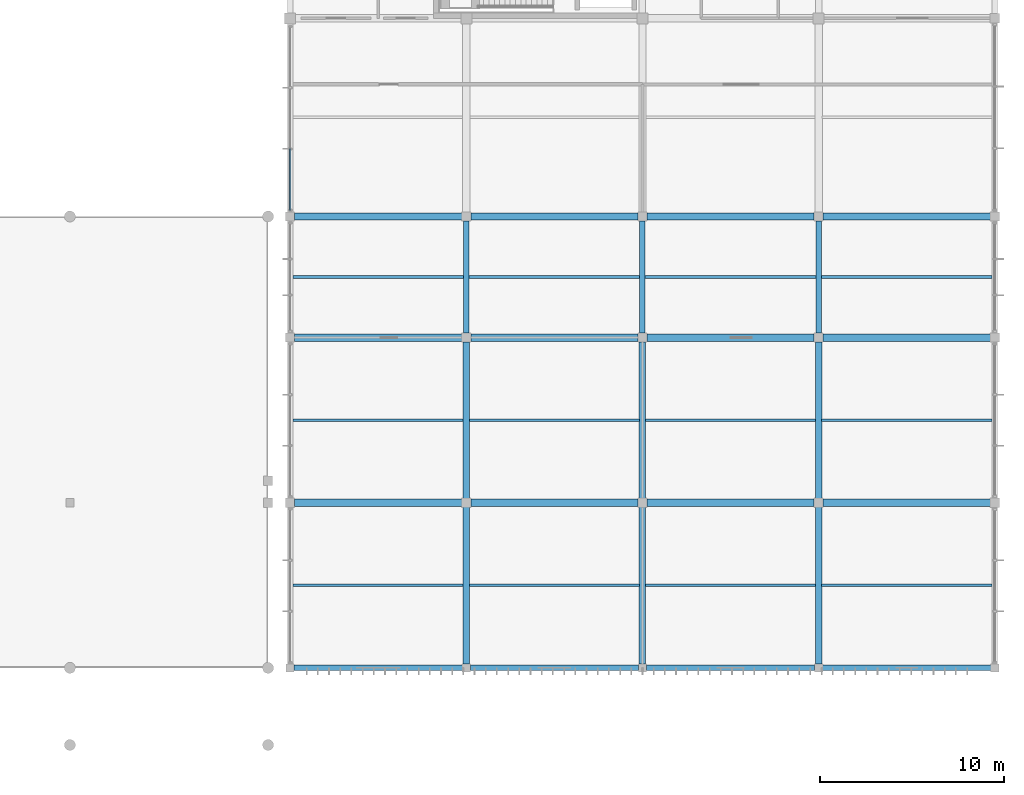
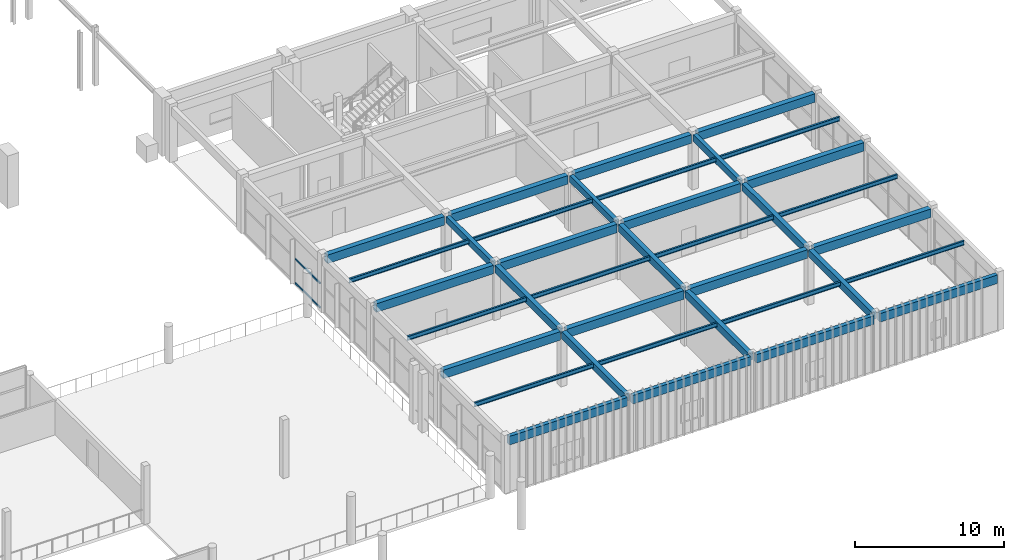
# One storey, part 28 of 74: 37 beams, 2 members, 1 element without a shape of its own.
"""IFC4 building model written with IfcOpenShell, lengths in metres."""

from ifc_helpers import new_model, si_unit, direction, frame, origin, origin_2d, place, context, subcontext, project, spatial, rectangle, i_section, extrude, material, material_profile, profile_set, type_object, element, aggregate, save


model = new_model("IFC4")

# Units and contexts
model_context = context("Model", 3, precision=1e-05, world=origin(), true_north=direction((0.0, 1.0)))
body_context = subcontext(model_context, "Body", "Model", "MODEL_VIEW")
ifc_project = project(units=[si_unit("LENGTHUNIT", "METRE"), si_unit("AREAUNIT", "SQUARE_METRE"), si_unit("VOLUMEUNIT", "CUBIC_METRE"), si_unit("PLANEANGLEUNIT", "RADIAN"), si_unit("MASSUNIT", "GRAM", prefix="KILO")], contexts=[model_context])

# Site, building, storey
site_placement = place(None, origin())
site = spatial("IfcSite", under=ifc_project, at=site_placement, CompositionType="ELEMENT")
building_placement = place(site_placement, origin())
building = spatial("IfcBuilding", under=site, at=building_placement, Name="Suirenkawa Promenade Aquatics Centre", CompositionType="ELEMENT")
storey_placement = place(building_placement, frame((0.0, 0.0, 4.800048828125)))
storey = spatial("IfcBuildingStorey", under=building, at=storey_placement, Name="L01", CompositionType="ELEMENT", Elevation=4.800048828125)

# Beams
ifc_material_1 = material(Name="Steel IS 2062 E350 (Grade 350)", Category="steel")
ifc_material_profile_1 = material_profile(ifc_material_1, i_section(OverallWidth=0.139892578125, OverallDepth=0.35009765625, WebThickness=0.008056640625, FlangeThickness=0.013916015625, at=origin_2d()), Name="ISMB 350", Category="steel")
ifc_profile_set_1 = profile_set([ifc_material_profile_1], Name="Steel IS 2062 E350 (Grade 350)")
beam_type_1 = type_object("IfcBeamType", Name="BT-JOIST-ISMB350", PredefinedType="JOIST", material=ifc_profile_set_1)
for number, where, z_axis, x_axis, name in (
    (1, (156.14404296875, 8.699951171875, 4.363037109375), (1.0, 0.0, 0.0), (0.0, 1.0, 0.0), "Secondary floor joist JS-03 BM-1723"),
    (2, (156.14404296875, 17.699951171875, 4.363037109375), (1.0, 0.0, 0.0), (0.0, 1.0, 0.0), "Secondary floor joist JS-03 BM-1724"),
):
    element("IfcBeam", number, at=place(storey_placement, frame(where, z_axis=z_axis, x_axis=x_axis)), inside=storey, type_object=beam_type_1, Name=name, PredefinedType="JOIST", context=body_context, shape_type="SweptSolid", body=[
        extrude(i_section(OverallWidth=0.139892578125, OverallDepth=0.35009765625, WebThickness=0.008056640625, FlangeThickness=0.013916015625, at=origin_2d()), origin(), (0.0, 0.0, 1.0), 9.286865234375),
    ])
beam_1_placement = place(storey_placement, frame((156.14404296875, 25.5, 4.363037109375), z_axis=(1.0, 0.0, 0.0), x_axis=(0.0, 1.0, 0.0)))
element("IfcBeam", 3, at=beam_1_placement, inside=storey, type_object=beam_type_1, Name="Secondary floor joist JS-03 BM-1725", PredefinedType="JOIST", context=body_context, shape_type="SweptSolid", body=[
    extrude(i_section(OverallWidth=0.139892578125, OverallDepth=0.35009765625, WebThickness=0.008056640625, FlangeThickness=0.013916015625, at=origin_2d()), origin(), (0.0, 0.0, 1.0), 9.31201171875),
])
for number, where, z_axis, x_axis, name in (
    (4, (165.76904296875, 8.699951171875, 4.363037109375), (1.0, 0.0, 0.0), (0.0, 1.0, 0.0), "Secondary floor joist JS-03 BM-1727"),
    (5, (165.76904296875, 17.699951171875, 4.363037109375), (1.0, 0.0, 0.0), (0.0, 1.0, 0.0), "Secondary floor joist JS-03 BM-1728"),
):
    element("IfcBeam", number, at=place(storey_placement, frame(where, z_axis=z_axis, x_axis=x_axis)), inside=storey, type_object=beam_type_1, Name=name, PredefinedType="JOIST", context=body_context, shape_type="SweptSolid", body=[
        extrude(i_section(OverallWidth=0.139892578125, OverallDepth=0.35009765625, WebThickness=0.008056640625, FlangeThickness=0.013916015625, at=origin_2d()), origin(), (0.0, 0.0, 1.0), 9.261962890625),
    ])
beam_2_placement = place(storey_placement, frame((165.743896484375, 25.5, 4.363037109375), z_axis=(1.0, 0.0, 0.0), x_axis=(0.0, 1.0, 0.0)))
element("IfcBeam", 6, at=beam_2_placement, inside=storey, type_object=beam_type_1, Name="Secondary floor joist JS-03 BM-1729", PredefinedType="JOIST", context=body_context, shape_type="SweptSolid", body=[
    extrude(i_section(OverallWidth=0.139892578125, OverallDepth=0.35009765625, WebThickness=0.008056640625, FlangeThickness=0.013916015625, at=origin_2d()), origin(), (0.0, 0.0, 1.0), 9.31201171875),
])
for number, where, z_axis, x_axis, name in (
    (7, (175.368896484375, 8.699951171875, 4.363037109375), (1.0, 0.0, 0.0), (0.0, 1.0, 0.0), "Secondary floor joist JS-03 BM-1731"),
    (8, (175.368896484375, 17.699951171875, 4.363037109375), (1.0, 0.0, 0.0), (0.0, 1.0, 0.0), "Secondary floor joist JS-03 BM-1732"),
):
    element("IfcBeam", number, at=place(storey_placement, frame(where, z_axis=z_axis, x_axis=x_axis)), inside=storey, type_object=beam_type_1, Name=name, PredefinedType="JOIST", context=body_context, shape_type="SweptSolid", body=[
        extrude(i_section(OverallWidth=0.139892578125, OverallDepth=0.35009765625, WebThickness=0.008056640625, FlangeThickness=0.013916015625, at=origin_2d()), origin(), (0.0, 0.0, 1.0), 9.26220703125),
    ])
beam_3_placement = place(storey_placement, frame((175.343994140625, 25.5, 4.363037109375), z_axis=(1.0, 0.0, 0.0), x_axis=(0.0, 1.0, 0.0)))
element("IfcBeam", 9, at=beam_3_placement, inside=storey, type_object=beam_type_1, Name="Secondary floor joist JS-03 BM-1733", PredefinedType="JOIST", context=body_context, shape_type="SweptSolid", body=[
    extrude(i_section(OverallWidth=0.139892578125, OverallDepth=0.35009765625, WebThickness=0.008056640625, FlangeThickness=0.013916015625, at=origin_2d()), origin(), (0.0, 0.0, 1.0), 9.31201171875),
])
for number, where, z_axis, x_axis, name in (
    (10, (184.968994140625, 8.699951171875, 4.363037109375), (1.0, 0.0, 0.0), (0.0, 1.0, 0.0), "Secondary floor joist JS-03 BM-1736"),
    (11, (184.968994140625, 17.699951171875, 4.363037109375), (1.0, 0.0, 0.0), (0.0, 1.0, 0.0), "Secondary floor joist JS-03 BM-1737"),
):
    element("IfcBeam", number, at=place(storey_placement, frame(where, z_axis=z_axis, x_axis=x_axis)), inside=storey, type_object=beam_type_1, Name=name, PredefinedType="JOIST", context=body_context, shape_type="SweptSolid", body=[
        extrude(i_section(OverallWidth=0.139892578125, OverallDepth=0.35009765625, WebThickness=0.008056640625, FlangeThickness=0.013916015625, at=origin_2d()), origin(), (0.0, 0.0, 1.0), 9.287109375),
    ])
beam_4_placement = place(storey_placement, frame((184.944091796875, 25.5, 4.363037109375), z_axis=(1.0, 0.0, 0.0), x_axis=(0.0, 1.0, 0.0)))
element("IfcBeam", 12, at=beam_4_placement, inside=storey, type_object=beam_type_1, Name="Secondary floor joist JS-03 BM-1738", PredefinedType="JOIST", context=body_context, shape_type="SweptSolid", body=[
    extrude(i_section(OverallWidth=0.139892578125, OverallDepth=0.35009765625, WebThickness=0.008056640625, FlangeThickness=0.013916015625, at=origin_2d()), origin(), (0.0, 0.0, 1.0), 9.31201171875),
])
ifc_material_2 = material(Name="Concrete M35", Category="concrete")
ifc_material_profile_2 = material_profile(ifc_material_2, rectangle(XDim=0.300048828125, YDim=0.550048828125, at=origin_2d()), Name="RC BM 300x550", Category="concrete")
ifc_profile_set_2 = profile_set([ifc_material_profile_2], Name="Concrete M35")
beam_type_2 = type_object("IfcBeamType", Name="BT-RC-300x550", PredefinedType="BEAM", material=ifc_profile_set_2)
for number, where, z_axis, x_axis, name in (
    (13, (165.60009765625, 22.444091796875, 4.264892578125), (0.0, 1.0, 0.0), (-1.0, 0.0, 0.0), "Floor beam BM-01 BM-1706"),
    (14, (175.199951171875, 22.444091796875, 4.264892578125), (0.0, 1.0, 0.0), (-1.0, 0.0, 0.0), "Floor beam BM-01 BM-1710"),
    (15, (184.800048828125, 22.444091796875, 4.264892578125), (0.0, 1.0, 0.0), (-1.0, 0.0, 0.0), "Floor beam BM-01 BM-1715"),
):
    element("IfcBeam", number, at=place(storey_placement, frame(where, z_axis=z_axis, x_axis=x_axis)), inside=storey, type_object=beam_type_2, Name=name, PredefinedType="BEAM", context=body_context, shape_type="SweptSolid", body=[
        extrude(rectangle(XDim=0.300048828125, YDim=0.550048828125, at=origin_2d()), origin(), (0.0, 0.0, 1.0), 6.11181640625),
    ])
ifc_material_profile_3 = material_profile(ifc_material_2, rectangle(XDim=0.35009765625, YDim=0.60009765625, at=origin_2d()), Name="RC BM 350x600", Category="concrete")
ifc_profile_set_3 = profile_set([ifc_material_profile_3], Name="Concrete M35")
beam_type_3 = type_object("IfcBeamType", Name="BT-RC-350x600", PredefinedType="BEAM", material=ifc_profile_set_3)
beam_5_placement = place(storey_placement, frame((165.60009765625, 4.4189453125, 4.239990234375), z_axis=(0.0, 1.0, 0.0), x_axis=(-1.0, 0.0, 0.0)))
element("IfcBeam", 16, at=beam_5_placement, inside=storey, type_object=beam_type_3, Name="Floor beam BM-02 BM-1704", PredefinedType="BEAM", context=body_context, shape_type="SweptSolid", body=[
    extrude(rectangle(XDim=0.35009765625, YDim=0.60009765625, at=origin_2d()), origin(), (0.0, 0.0, 1.0), 8.537109375),
])
beam_6_placement = place(storey_placement, frame((165.60009765625, 13.444091796875, 4.239990234375), z_axis=(0.0, 1.0, 0.0), x_axis=(-1.0, 0.0, 0.0)))
element("IfcBeam", 17, at=beam_6_placement, inside=storey, type_object=beam_type_3, Name="Floor beam BM-02 BM-1705", PredefinedType="BEAM", context=body_context, shape_type="SweptSolid", body=[
    extrude(rectangle(XDim=0.35009765625, YDim=0.60009765625, at=origin_2d()), origin(), (0.0, 0.0, 1.0), 8.511962890625),
])
beam_7_placement = place(storey_placement, frame((175.199951171875, 4.4189453125, 4.239990234375), z_axis=(0.0, 1.0, 0.0), x_axis=(-1.0, 0.0, 0.0)))
element("IfcBeam", 18, at=beam_7_placement, inside=storey, type_object=beam_type_3, Name="Floor beam BM-02 BM-1708", PredefinedType="BEAM", context=body_context, shape_type="SweptSolid", body=[
    extrude(rectangle(XDim=0.35009765625, YDim=0.60009765625, at=origin_2d()), origin(), (0.0, 0.0, 1.0), 8.537109375),
])
beam_8_placement = place(storey_placement, frame((175.199951171875, 13.444091796875, 4.239990234375), z_axis=(0.0, 1.0, 0.0), x_axis=(-1.0, 0.0, 0.0)))
element("IfcBeam", 19, at=beam_8_placement, inside=storey, type_object=beam_type_3, Name="Floor beam BM-02 BM-1709", PredefinedType="BEAM", context=body_context, shape_type="SweptSolid", body=[
    extrude(rectangle(XDim=0.35009765625, YDim=0.60009765625, at=origin_2d()), origin(), (0.0, 0.0, 1.0), 8.511962890625),
])
beam_9_placement = place(storey_placement, frame((184.800048828125, 4.4189453125, 4.239990234375), z_axis=(0.0, 1.0, 0.0), x_axis=(-1.0, 0.0, 0.0)))
element("IfcBeam", 20, at=beam_9_placement, inside=storey, type_object=beam_type_3, Name="Floor beam BM-02 BM-1713", PredefinedType="BEAM", context=body_context, shape_type="SweptSolid", body=[
    extrude(rectangle(XDim=0.35009765625, YDim=0.60009765625, at=origin_2d()), origin(), (0.0, 0.0, 1.0), 8.537109375),
])
beam_10_placement = place(storey_placement, frame((184.800048828125, 13.444091796875, 4.239990234375), z_axis=(0.0, 1.0, 0.0), x_axis=(-1.0, 0.0, 0.0)))
element("IfcBeam", 21, at=beam_10_placement, inside=storey, type_object=beam_type_3, Name="Floor beam BM-02 BM-1714", PredefinedType="BEAM", context=body_context, shape_type="SweptSolid", body=[
    extrude(rectangle(XDim=0.35009765625, YDim=0.60009765625, at=origin_2d()), origin(), (0.0, 0.0, 1.0), 8.511962890625),
])
ifc_material_profile_4 = material_profile(ifc_material_2, rectangle(XDim=0.39990234375, YDim=0.699951171875, at=origin_2d()), Name="RC BM 400x700", Category="concrete")
ifc_profile_set_4 = profile_set([ifc_material_profile_4], Name="Concrete M35")
beam_type_4 = type_object("IfcBeamType", Name="BT-RC-400x700", PredefinedType="BEAM", material=ifc_profile_set_4)
for number, where, z_axis, x_axis, name in (
    (22, (156.243896484375, 13.199951171875, 4.18994140625), (1.0, 0.0, 0.0), (0.0, 1.0, 0.0), "Floor beam BM-04 BM-1679"),
    (23, (165.843994140625, 13.199951171875, 4.18994140625), (1.0, 0.0, 0.0), (0.0, 1.0, 0.0), "Floor beam BM-04 BM-1680"),
):
    element("IfcBeam", number, at=place(storey_placement, frame(where, z_axis=z_axis, x_axis=x_axis)), inside=storey, type_object=beam_type_4, Name=name, PredefinedType="BEAM", context=body_context, shape_type="SweptSolid", body=[
        extrude(rectangle(XDim=0.39990234375, YDim=0.699951171875, at=origin_2d()), origin(), (0.0, 0.0, 1.0), 9.112060546875),
    ])
beam_11_placement = place(storey_placement, frame((175.444091796875, 13.199951171875, 4.18994140625), z_axis=(1.0, 0.0, 0.0), x_axis=(0.0, 1.0, 0.0)))
element("IfcBeam", 24, at=beam_11_placement, inside=storey, type_object=beam_type_4, Name="Floor beam BM-04 BM-1681", PredefinedType="BEAM", context=body_context, shape_type="SweptSolid", body=[
    extrude(rectangle(XDim=0.39990234375, YDim=0.699951171875, at=origin_2d()), origin(), (0.0, 0.0, 1.0), 9.11181640625),
])
for number, where, z_axis, x_axis, name in (
    (25, (185.0439453125, 13.199951171875, 4.18994140625), (1.0, 0.0, 0.0), (0.0, 1.0, 0.0), "Floor beam BM-04 BM-1682"),
    (26, (156.243896484375, 22.199951171875, 4.18994140625), (1.0, 0.0, 0.0), (0.0, 1.0, 0.0), "Floor beam BM-04 BM-1683"),
    (27, (165.843994140625, 22.199951171875, 4.18994140625), (1.0, 0.0, 0.0), (0.0, 1.0, 0.0), "Floor beam BM-04 BM-1684"),
):
    element("IfcBeam", number, at=place(storey_placement, frame(where, z_axis=z_axis, x_axis=x_axis)), inside=storey, type_object=beam_type_4, Name=name, PredefinedType="BEAM", context=body_context, shape_type="SweptSolid", body=[
        extrude(rectangle(XDim=0.39990234375, YDim=0.699951171875, at=origin_2d()), origin(), (0.0, 0.0, 1.0), 9.112060546875),
    ])
beam_12_placement = place(storey_placement, frame((175.444091796875, 22.199951171875, 4.18994140625), z_axis=(1.0, 0.0, 0.0), x_axis=(0.0, 1.0, 0.0)))
element("IfcBeam", 28, at=beam_12_placement, inside=storey, type_object=beam_type_4, Name="Floor beam BM-04 BM-1685", PredefinedType="BEAM", context=body_context, shape_type="SweptSolid", body=[
    extrude(rectangle(XDim=0.39990234375, YDim=0.699951171875, at=origin_2d()), origin(), (0.0, 0.0, 1.0), 9.11181640625),
])
for number, where, z_axis, x_axis, name in (
    (29, (185.0439453125, 22.199951171875, 4.18994140625), (1.0, 0.0, 0.0), (0.0, 1.0, 0.0), "Floor beam BM-04 BM-1686"),
    (30, (156.243896484375, 28.800048828125, 4.18994140625), (1.0, 0.0, 0.0), (0.0, 1.0, 0.0), "Floor beam BM-04 BM-1687"),
    (31, (165.843994140625, 28.800048828125, 4.18994140625), (1.0, 0.0, 0.0), (0.0, 1.0, 0.0), "Floor beam BM-04 BM-1688"),
):
    element("IfcBeam", number, at=place(storey_placement, frame(where, z_axis=z_axis, x_axis=x_axis)), inside=storey, type_object=beam_type_4, Name=name, PredefinedType="BEAM", context=body_context, shape_type="SweptSolid", body=[
        extrude(rectangle(XDim=0.39990234375, YDim=0.699951171875, at=origin_2d()), origin(), (0.0, 0.0, 1.0), 9.112060546875),
    ])
beam_13_placement = place(storey_placement, frame((175.444091796875, 28.800048828125, 4.18994140625), z_axis=(1.0, 0.0, 0.0), x_axis=(0.0, 1.0, 0.0)))
element("IfcBeam", 32, at=beam_13_placement, inside=storey, type_object=beam_type_4, Name="Floor beam BM-04 BM-1689", PredefinedType="BEAM", context=body_context, shape_type="SweptSolid", body=[
    extrude(rectangle(XDim=0.39990234375, YDim=0.699951171875, at=origin_2d()), origin(), (0.0, 0.0, 1.0), 9.11181640625),
])
beam_14_placement = place(storey_placement, frame((185.0439453125, 28.800048828125, 4.18994140625), z_axis=(1.0, 0.0, 0.0), x_axis=(0.0, 1.0, 0.0)))
element("IfcBeam", 33, at=beam_14_placement, inside=storey, type_object=beam_type_4, Name="Floor beam BM-04 BM-1690", PredefinedType="BEAM", context=body_context, shape_type="SweptSolid", body=[
    extrude(rectangle(XDim=0.39990234375, YDim=0.699951171875, at=origin_2d()), origin(), (0.0, 0.0, 1.0), 9.112060546875),
])
ifc_material_3 = material(Name="Concrete M40", Category="concrete")
ifc_material_profile_5 = material_profile(ifc_material_3, rectangle(XDim=0.300048828125, YDim=0.699951171875, at=origin_2d()), Name="RC SPANDREL 300x700", Category="concrete")
ifc_profile_set_5 = profile_set([ifc_material_profile_5], Name="Concrete M40")
beam_type_5 = type_object("IfcBeamType", Name="BT-SPANDREL-300x700", PredefinedType="SPANDREL", material=ifc_profile_set_5)
beam_15_placement = place(storey_placement, frame((156.218994140625, 4.199951171875, 4.18994140625), z_axis=(1.0, 0.0, 0.0), x_axis=(0.0, 1.0, 0.0)))
element("IfcBeam", 34, at=beam_15_placement, inside=storey, type_object=beam_type_5, Name="Floor beam SP-01 BM-1675", PredefinedType="SPANDREL", context=body_context, shape_type="SweptSolid", body=[
    extrude(rectangle(XDim=0.300048828125, YDim=0.699951171875, at=origin_2d()), origin(), (0.0, 0.0, 1.0), 9.162109375),
])
beam_16_placement = place(storey_placement, frame((165.819091796875, 4.199951171875, 4.18994140625), z_axis=(1.0, 0.0, 0.0), x_axis=(0.0, 1.0, 0.0)))
element("IfcBeam", 35, at=beam_16_placement, inside=storey, type_object=beam_type_5, Name="Floor beam SP-01 BM-1676", PredefinedType="SPANDREL", context=body_context, shape_type="SweptSolid", body=[
    extrude(rectangle(XDim=0.300048828125, YDim=0.699951171875, at=origin_2d()), origin(), (0.0, 0.0, 1.0), 9.161865234375),
])
beam_17_placement = place(storey_placement, frame((175.4189453125, 4.199951171875, 4.18994140625), z_axis=(1.0, 0.0, 0.0), x_axis=(0.0, 1.0, 0.0)))
element("IfcBeam", 36, at=beam_17_placement, inside=storey, type_object=beam_type_5, Name="Floor beam SP-01 BM-1677", PredefinedType="SPANDREL", context=body_context, shape_type="SweptSolid", body=[
    extrude(rectangle(XDim=0.300048828125, YDim=0.699951171875, at=origin_2d()), origin(), (0.0, 0.0, 1.0), 9.162109375),
])
beam_18_placement = place(storey_placement, frame((185.01904296875, 4.199951171875, 4.18994140625), z_axis=(1.0, 0.0, 0.0), x_axis=(0.0, 1.0, 0.0)))
element("IfcBeam", 37, at=beam_18_placement, inside=storey, type_object=beam_type_5, Name="Floor beam SP-01 BM-1678", PredefinedType="SPANDREL", context=body_context, shape_type="SweptSolid", body=[
    extrude(rectangle(XDim=0.300048828125, YDim=0.699951171875, at=origin_2d()), origin(), (0.0, 0.0, 1.0), 9.161865234375),
])

# Curtain wall, members
ifc_material_4 = material(Name="Anodised aluminium 6063-T6", Category="aluminium")
curtain_wall_type = type_object("IfcCurtainWallType", Name="CWAT-V4WL01-34", PredefinedType="NOTDEFINED", material=ifc_material_4)
curtain_wall_placement = place(storey_placement, origin())
curtain_wall = element("IfcCurtainWall", 38, at=curtain_wall_placement, inside=storey, type_object=curtain_wall_type, Name="Curtain wall CWA-34 CW-077", PredefinedType="NOTDEFINED")
ifc_material_profile_6 = material_profile(ifc_material_4, rectangle(XDim=0.090087890625, YDim=0.1298828125, at=origin_2d()), Name="ALU TRAN 90x130", Category="aluminium")
ifc_profile_set_6 = profile_set([ifc_material_profile_6], Name="Anodised aluminium 6063-T6")
member_type = type_object("IfcMemberType", Name="CWT-130x90", PredefinedType="USERDEFINED", material=ifc_profile_set_6)
member_1_placement = place(storey_placement, frame((156.0, 29.14892578125, 0.0), z_axis=(0.0, 1.0, 0.0), x_axis=(-1.0, 0.0, 0.0)))
member_1 = element("IfcMember", 39, at=member_1_placement, type_object=member_type, Name="Transom TR-03 CWT-01537", ObjectType="TRANSOM", PredefinedType="USERDEFINED", context=body_context, shape_type="SweptSolid", body=[
    extrude(rectangle(XDim=0.090087890625, YDim=0.1298828125, at=origin_2d()), origin(), (0.0, 0.0, 1.0), 3.333984375),
])
member_2_placement = place(storey_placement, frame((156.0, 29.14892578125, 2.0), z_axis=(0.0, 1.0, 0.0), x_axis=(-1.0, 0.0, 0.0)))
member_2 = element("IfcMember", 40, at=member_2_placement, type_object=member_type, Name="Transom TR-03 CWT-01540", ObjectType="TRANSOM", PredefinedType="USERDEFINED", context=body_context, shape_type="SweptSolid", body=[
    extrude(rectangle(XDim=0.090087890625, YDim=0.1298828125, at=origin_2d()), origin(), (0.0, 0.0, 1.0), 3.333984375),
])
aggregate(curtain_wall, [member_1, member_2])

save(model, "model.ifc")
